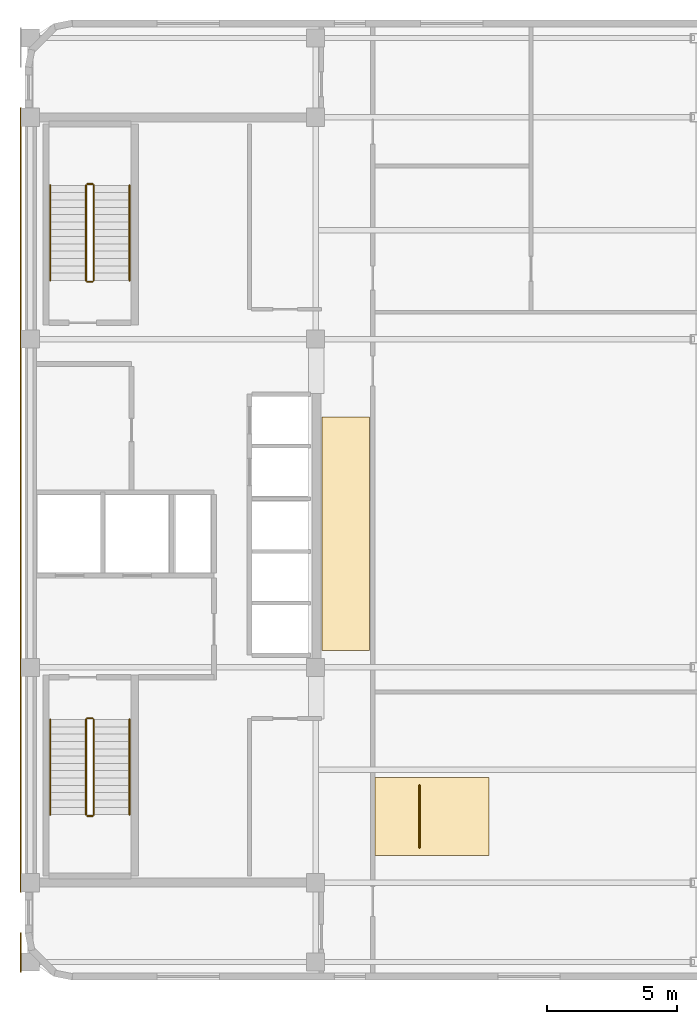
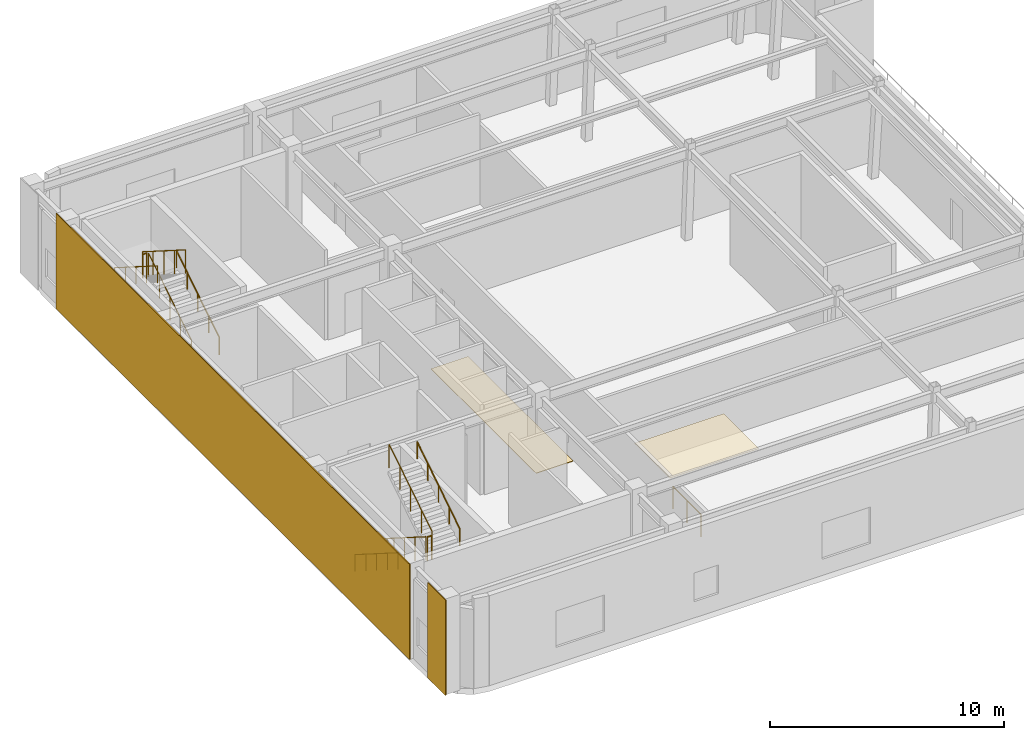
# One storey, part 5 of 6: 13 railings, 4 coverings.
"""IFC4 building model written with IfcOpenShell, lengths in metres."""

from ifc_helpers import new_model, si_unit, direction, frame, origin, origin_2d, place, context, subcontext, project, spatial, polyline, rectangle, circle, outline, extrude, material, layer, layer_set, type_object, element, save


model = new_model("IFC4")

# Units and contexts
model_context = context("Model", 3, precision=1e-05, world=origin(), true_north=direction((0.0, 1.0)))
body_context = subcontext(model_context, "Body", "Model", "MODEL_VIEW")
ifc_project = project(units=[si_unit("LENGTHUNIT", "METRE"), si_unit("AREAUNIT", "SQUARE_METRE"), si_unit("VOLUMEUNIT", "CUBIC_METRE"), si_unit("PLANEANGLEUNIT", "RADIAN"), si_unit("MASSUNIT", "GRAM", prefix="KILO")], contexts=[model_context])

# Site, building, storey
site_placement = place(None, origin())
site = spatial("IfcSite", under=ifc_project, at=site_placement, CompositionType="ELEMENT")
building_placement = place(site_placement, origin())
building = spatial("IfcBuilding", under=site, at=building_placement, Name="Ochreholt Gables", CompositionType="ELEMENT")
storey_placement = place(building_placement, frame((0.0, 0.0, 282.0)))
storey = spatial("IfcBuildingStorey", under=building, at=storey_placement, Name="L74", CompositionType="ELEMENT", Elevation=282.0)

# Coverings
ifc_material_1 = material(Name="Mineral Fibre Acoustic Ceiling Tile", Category="gypsum")
ifc_layer_1 = layer(ifc_material_1, 0.034912109375, Name="Mineral Fibre Acoustic Ceiling Tile")
ifc_layer_set_1 = layer_set([ifc_layer_1], Name="Mineral Fibre Acoustic Ceiling Tile")
covering_type_1 = type_object("IfcCoveringType", Name="COV-CEIL-AC", PredefinedType="CEILING", material=ifc_layer_set_1)
covering_1_placement = place(storey_placement, frame((0.0, 0.0, 3.820068359375)))
element("IfcCovering", 1, at=covering_1_placement, inside=storey, type_object=covering_type_1, Name="L74 Suspended Acoustic Ceiling", PredefinedType="CEILING", context=body_context, shape_type="SweptSolid", body=[
    extrude(outline(polyline([(37.489990234375, 10.300048828125), (41.889892578125, 10.300048828125), (41.889892578125, 13.300048828125), (37.489990234375, 13.300048828125), (37.489990234375, 10.300048828125)])), origin(), (0.0, 0.0, 1.0), 0.034912109375),
])
ifc_material_2 = material(Name="Glazed Ochre Terracotta Rainscreen Cladding", Category="masonry")
ifc_layer_2 = layer(ifc_material_2, 0.044921875, Name="Glazed Ochre Terracotta Rainscreen Cladding")
ifc_layer_set_2 = layer_set([ifc_layer_2], Name="Glazed Ochre Terracotta Rainscreen Cladding")
covering_type_2 = type_object("IfcCoveringType", Name="COV-CLAD-TC", PredefinedType="CLADDING", material=ifc_layer_set_2)
covering_2_placement = place(storey_placement, frame((23.827880859375, 24.0, 0.010009765625), z_axis=(0.0, 0.0, 1.0), x_axis=(0.0, 1.0, 0.0)))
element("IfcCovering", 2, at=covering_2_placement, inside=storey, type_object=covering_type_2, Name="L74 West Core Terracotta Rainscreen Cladding", PredefinedType="CLADDING", context=body_context, shape_type="SweptSolid", body=[
    extrude(rectangle(XDim=30.239990234375, YDim=0.044921875, at=origin_2d()), origin(), (0.0, 0.0, 1.0), 4.97998046875),
])
covering_3_placement = place(storey_placement, frame((23.827880859375, 6.56005859375, 0.010009765625), z_axis=(0.0, 0.0, 1.0), x_axis=(0.0, 1.0, 0.0)))
element("IfcCovering", 3, at=covering_3_placement, inside=storey, type_object=covering_type_2, Name="L74 South-West Pier Terracotta Cladding", PredefinedType="CLADDING", context=body_context, shape_type="SweptSolid", body=[
    extrude(rectangle(XDim=1.52001953125, YDim=0.044921875, at=origin_2d()), origin(), (0.0, 0.0, 1.0), 4.97998046875),
])
ifc_material_3 = material(Name="Polished Terrazzo Floor Finish", Category="concrete")
ifc_layer_3 = layer(ifc_material_3, 0.02490234375, Name="Polished Terrazzo Floor Finish")
ifc_layer_set_3 = layer_set([ifc_layer_3], Name="Polished Terrazzo Floor Finish")
covering_type_3 = type_object("IfcCoveringType", Name="COV-FLR-TRZ", PredefinedType="FLOORING", material=ifc_layer_set_3)
covering_4_placement = place(storey_placement, origin())
element("IfcCovering", 4, at=covering_4_placement, inside=storey, type_object=covering_type_3, Name="L74 Floor Finish", PredefinedType="FLOORING", context=body_context, shape_type="SweptSolid", body=[
    extrude(outline(polyline([(35.449951171875, 18.199951171875), (37.280029296875, 18.199951171875), (37.280029296875, 27.199951171875), (35.449951171875, 27.199951171875), (35.449951171875, 18.199951171875)])), origin(), (0.0, 0.0, 1.0), 0.02490234375),
])

# Railings
ifc_material_4 = material(Name="Laminated Glass and Bronze Interior Balustrade", Category="glass")
railing_type_1 = type_object("IfcRailingType", Name="RL-INT-BAL", PredefinedType="BALUSTRADE", material=ifc_material_4)
railing_1_placement = place(storey_placement, frame((39.199951171875, 10.60009765625, 0.0)))
element("IfcRailing", 5, at=railing_1_placement, inside=storey, type_object=railing_type_1, Name="L74 Gallery Balustrade", PredefinedType="BALUSTRADE", context=body_context, shape_type="SweptSolid", body=[
    extrude(circle(Radius=0.02392578125, at=origin_2d()), frame((0.0, 0.0, 1.17578125), z_axis=(0.0, 1.0, 0.0), x_axis=(-1.0, 0.0, 0.0)), (0.0, 0.0, 1.0), 2.39990234375),
    extrude(circle(Radius=0.02099609375, at=origin_2d()), origin(), (0.0, 0.0, 1.0), 1.15185546875),
    extrude(circle(Radius=0.02099609375, at=origin_2d()), frame((0.0, 1.199951171875, 0.0)), (0.0, 0.0, 1.0), 1.15185546875),
    extrude(circle(Radius=0.02099609375, at=origin_2d()), frame((0.0, 2.39990234375, 0.0)), (0.0, 0.0, 1.0), 1.15185546875),
])
ifc_material_5 = material(Name="Painted Steel Stair Guardrail", Category="steel")
railing_type_2 = type_object("IfcRailingType", Name="RL-ST-GUARD", PredefinedType="GUARDRAIL", material=ifc_material_5)
railing_2_placement = place(storey_placement, frame((26.35009765625, 15.5400390625, 0.178466796875)))
element("IfcRailing", 6, at=railing_2_placement, inside=storey, type_object=railing_type_2, Name="L74 ST-1 stair guard 1", PredefinedType="GUARDRAIL", context=body_context, shape_type="SweptSolid", body=[
    extrude(circle(Radius=0.02392578125, at=origin_2d()), frame((0.0, 0.0, 1.22607421875), z_axis=(0.0, -0.844847897496, 0.535006570144), x_axis=(1.0, 0.0, 0.0)), (0.0, 0.0, 1.0), 4.33935546875),
    extrude(circle(Radius=0.02099609375, at=origin_2d()), origin(), (0.0, 0.0, 1.0), 1.201904296875),
    extrude(circle(Radius=0.02099609375, at=origin_2d()), frame((0.0, -0.91650390625, 0.580322265625)), (0.0, 0.0, 1.0), 1.201904296875),
    extrude(circle(Radius=0.02099609375, at=origin_2d()), frame((0.0, -1.8330078125, 1.16064453125)), (0.0, 0.0, 1.0), 1.201904296875),
    extrude(circle(Radius=0.02099609375, at=origin_2d()), frame((0.0, -2.74951171875, 1.7412109375)), (0.0, 0.0, 1.0), 1.201904296875),
    extrude(circle(Radius=0.02099609375, at=origin_2d()), frame((0.0, -3.666015625, 2.321533203125)), (0.0, 0.0, 1.0), 1.201904296875),
])
railing_3_placement = place(storey_placement, frame((26.39990234375, 11.823974609375, 2.5)))
element("IfcRailing", 7, at=railing_3_placement, inside=storey, type_object=railing_type_2, Name="L74 ST-1 stair guard 2", PredefinedType="GUARDRAIL", context=body_context, shape_type="SweptSolid", body=[
    extrude(circle(Radius=0.02392578125, at=origin_2d()), frame((0.0, 0.0, 1.22607421875), z_axis=(1.0, 0.0, 0.0), x_axis=(0.0, 1.0, 0.0)), (0.0, 0.0, 1.0), 0.2001953125),
    extrude(circle(Radius=0.02099609375, at=origin_2d()), origin(), (0.0, 0.0, 1.0), 1.201904296875),
    extrude(circle(Radius=0.02099609375, at=origin_2d()), frame((0.2001953125, 0.0, 0.0)), (0.0, 0.0, 1.0), 1.201904296875),
])
railing_4_placement = place(storey_placement, frame((26.64990234375, 11.8740234375, 2.678466796875)))
element("IfcRailing", 8, at=railing_4_placement, inside=storey, type_object=railing_type_2, Name="L74 ST-1 stair guard 3", PredefinedType="GUARDRAIL", context=body_context, shape_type="SweptSolid", body=[
    extrude(circle(Radius=0.02392578125, at=origin_2d()), frame((0.0, 0.0, 1.22607421875), z_axis=(0.0, 0.844847897496, 0.535006570144), x_axis=(-1.0, 0.0, 0.0)), (0.0, 0.0, 1.0), 4.33935546875),
    extrude(circle(Radius=0.02099609375, at=origin_2d()), origin(), (0.0, 0.0, 1.0), 1.201904296875),
    extrude(circle(Radius=0.02099609375, at=origin_2d()), frame((0.0, 0.91650390625, 0.580322265625)), (0.0, 0.0, 1.0), 1.201904296875),
    extrude(circle(Radius=0.02099609375, at=origin_2d()), frame((0.0, 1.8330078125, 1.16064453125)), (0.0, 0.0, 1.0), 1.201904296875),
    extrude(circle(Radius=0.02099609375, at=origin_2d()), frame((0.0, 2.74951171875, 1.7412109375)), (0.0, 0.0, 1.0), 1.201904296875),
    extrude(circle(Radius=0.02099609375, at=origin_2d()), frame((0.0, 3.666015625, 2.321533203125)), (0.0, 0.0, 1.0), 1.201904296875),
])
railing_5_placement = place(storey_placement, frame((26.39990234375, 15.590087890625, 0.0)))
element("IfcRailing", 9, at=railing_5_placement, inside=storey, type_object=railing_type_2, Name="L74 ST-1 stair guard 4", PredefinedType="GUARDRAIL", context=body_context, shape_type="SweptSolid", body=[
    extrude(circle(Radius=0.02392578125, at=origin_2d()), frame((0.0, 0.0, 1.22607421875), z_axis=(1.0, 0.0, 0.0), x_axis=(0.0, 1.0, 0.0)), (0.0, 0.0, 1.0), 0.2001953125),
    extrude(circle(Radius=0.02099609375, at=origin_2d()), origin(), (0.0, 0.0, 1.0), 1.201904296875),
    extrude(circle(Radius=0.02099609375, at=origin_2d()), frame((0.2001953125, 0.0, 0.0)), (0.0, 0.0, 1.0), 1.201904296875),
])
railing_6_placement = place(storey_placement, frame((26.64990234375, 32.4599609375, 0.178466796875)))
element("IfcRailing", 10, at=railing_6_placement, inside=storey, type_object=railing_type_2, Name="L74 ST-2 stair guard 1", PredefinedType="GUARDRAIL", context=body_context, shape_type="SweptSolid", body=[
    extrude(circle(Radius=0.02392578125, at=origin_2d()), frame((0.0, 0.0, 1.22607421875), z_axis=(0.0, 0.844847897496, 0.535006570144), x_axis=(-1.0, 0.0, 0.0)), (0.0, 0.0, 1.0), 4.33935546875),
    extrude(circle(Radius=0.02099609375, at=origin_2d()), origin(), (0.0, 0.0, 1.0), 1.201904296875),
    extrude(circle(Radius=0.02099609375, at=origin_2d()), frame((0.0, 0.91650390625, 0.580322265625)), (0.0, 0.0, 1.0), 1.201904296875),
    extrude(circle(Radius=0.02099609375, at=origin_2d()), frame((0.0, 1.8330078125, 1.16064453125)), (0.0, 0.0, 1.0), 1.201904296875),
    extrude(circle(Radius=0.02099609375, at=origin_2d()), frame((0.0, 2.74951171875, 1.7412109375)), (0.0, 0.0, 1.0), 1.201904296875),
    extrude(circle(Radius=0.02099609375, at=origin_2d()), frame((0.0, 3.666015625, 2.321533203125)), (0.0, 0.0, 1.0), 1.201904296875),
])
railing_7_placement = place(storey_placement, frame((26.60009765625, 36.176025390625, 2.5)))
element("IfcRailing", 11, at=railing_7_placement, inside=storey, type_object=railing_type_2, Name="L74 ST-2 stair guard 2", PredefinedType="GUARDRAIL", context=body_context, shape_type="SweptSolid", body=[
    extrude(circle(Radius=0.02392578125, at=origin_2d()), frame((0.0, 0.0, 1.22607421875), z_axis=(-1.0, 0.0, 0.0), x_axis=(0.0, -1.0, 0.0)), (0.0, 0.0, 1.0), 0.2001953125),
    extrude(circle(Radius=0.02099609375, at=origin_2d()), origin(), (0.0, 0.0, 1.0), 1.201904296875),
    extrude(circle(Radius=0.02099609375, at=origin_2d()), frame((-0.2001953125, 0.0, 0.0)), (0.0, 0.0, 1.0), 1.201904296875),
])
railing_8_placement = place(storey_placement, frame((26.35009765625, 36.1259765625, 2.678466796875)))
element("IfcRailing", 12, at=railing_8_placement, inside=storey, type_object=railing_type_2, Name="L74 ST-2 stair guard 3", PredefinedType="GUARDRAIL", context=body_context, shape_type="SweptSolid", body=[
    extrude(circle(Radius=0.02392578125, at=origin_2d()), frame((0.0, 0.0, 1.22607421875), z_axis=(0.0, -0.844847897496, 0.535006570144), x_axis=(1.0, 0.0, 0.0)), (0.0, 0.0, 1.0), 4.33935546875),
    extrude(circle(Radius=0.02099609375, at=origin_2d()), origin(), (0.0, 0.0, 1.0), 1.201904296875),
    extrude(circle(Radius=0.02099609375, at=origin_2d()), frame((0.0, -0.91650390625, 0.580322265625)), (0.0, 0.0, 1.0), 1.201904296875),
    extrude(circle(Radius=0.02099609375, at=origin_2d()), frame((0.0, -1.8330078125, 1.16064453125)), (0.0, 0.0, 1.0), 1.201904296875),
    extrude(circle(Radius=0.02099609375, at=origin_2d()), frame((0.0, -2.74951171875, 1.7412109375)), (0.0, 0.0, 1.0), 1.201904296875),
    extrude(circle(Radius=0.02099609375, at=origin_2d()), frame((0.0, -3.666015625, 2.321533203125)), (0.0, 0.0, 1.0), 1.201904296875),
])
railing_9_placement = place(storey_placement, frame((26.60009765625, 32.409912109375, 0.0)))
element("IfcRailing", 13, at=railing_9_placement, inside=storey, type_object=railing_type_2, Name="L74 ST-2 stair guard 4", PredefinedType="GUARDRAIL", context=body_context, shape_type="SweptSolid", body=[
    extrude(circle(Radius=0.02392578125, at=origin_2d()), frame((0.0, 0.0, 1.22607421875), z_axis=(-1.0, 0.0, 0.0), x_axis=(0.0, -1.0, 0.0)), (0.0, 0.0, 1.0), 0.2001953125),
    extrude(circle(Radius=0.02099609375, at=origin_2d()), origin(), (0.0, 0.0, 1.0), 1.201904296875),
    extrude(circle(Radius=0.02099609375, at=origin_2d()), frame((-0.2001953125, 0.0, 0.0)), (0.0, 0.0, 1.0), 1.201904296875),
])
ifc_material_6 = material(Name="Brushed Stainless Steel Wall Handrail", Category="steel")
railing_type_3 = type_object("IfcRailingType", Name="RL-ST-HAND", PredefinedType="HANDRAIL", material=ifc_material_6)
railing_10_placement = place(storey_placement, frame((24.969970703125, 15.5400390625, 0.178466796875)))
element("IfcRailing", 14, at=railing_10_placement, inside=storey, type_object=railing_type_3, Name="L74 ST-1 stair handrail 1", PredefinedType="HANDRAIL", context=body_context, shape_type="SweptSolid", body=[
    extrude(circle(Radius=0.02392578125, at=origin_2d()), frame((0.0, 0.0, 0.8759765625), z_axis=(0.0, -0.844847897496, 0.535006570144), x_axis=(1.0, 0.0, 0.0)), (0.0, 0.0, 1.0), 4.33935546875),
    extrude(circle(Radius=0.02099609375, at=origin_2d()), origin(), (0.0, 0.0, 1.0), 0.851806640625),
    extrude(circle(Radius=0.02099609375, at=origin_2d()), frame((0.0, -0.91650390625, 0.580322265625)), (0.0, 0.0, 1.0), 0.851806640625),
    extrude(circle(Radius=0.02099609375, at=origin_2d()), frame((0.0, -1.8330078125, 1.16064453125)), (0.0, 0.0, 1.0), 0.851806640625),
    extrude(circle(Radius=0.02099609375, at=origin_2d()), frame((0.0, -2.74951171875, 1.7412109375)), (0.0, 0.0, 1.0), 0.851806640625),
    extrude(circle(Radius=0.02099609375, at=origin_2d()), frame((0.0, -3.666015625, 2.321533203125)), (0.0, 0.0, 1.0), 0.851806640625),
])
for number, where, name in (
    (15, (28.030029296875, 11.8740234375, 2.678466796875), "L74 ST-1 stair handrail 2"),
    (16, (28.030029296875, 32.4599609375, 0.178466796875), "L74 ST-2 stair handrail 1"),
):
    element("IfcRailing", number, at=place(storey_placement, frame(where)), inside=storey, type_object=railing_type_3, Name=name, PredefinedType="HANDRAIL", context=body_context, shape_type="SweptSolid", body=[
        extrude(circle(Radius=0.02392578125, at=origin_2d()), frame((0.0, 0.0, 0.8759765625), z_axis=(0.0, 0.844847897496, 0.535006570144), x_axis=(-1.0, 0.0, 0.0)), (0.0, 0.0, 1.0), 4.33935546875),
        extrude(circle(Radius=0.02099609375, at=origin_2d()), origin(), (0.0, 0.0, 1.0), 0.851806640625),
        extrude(circle(Radius=0.02099609375, at=origin_2d()), frame((0.0, 0.91650390625, 0.580322265625)), (0.0, 0.0, 1.0), 0.851806640625),
        extrude(circle(Radius=0.02099609375, at=origin_2d()), frame((0.0, 1.8330078125, 1.16064453125)), (0.0, 0.0, 1.0), 0.851806640625),
        extrude(circle(Radius=0.02099609375, at=origin_2d()), frame((0.0, 2.74951171875, 1.7412109375)), (0.0, 0.0, 1.0), 0.851806640625),
        extrude(circle(Radius=0.02099609375, at=origin_2d()), frame((0.0, 3.666015625, 2.321533203125)), (0.0, 0.0, 1.0), 0.851806640625),
    ])
railing_11_placement = place(storey_placement, frame((24.969970703125, 36.1259765625, 2.678466796875)))
element("IfcRailing", 17, at=railing_11_placement, inside=storey, type_object=railing_type_3, Name="L74 ST-2 stair handrail 2", PredefinedType="HANDRAIL", context=body_context, shape_type="SweptSolid", body=[
    extrude(circle(Radius=0.02392578125, at=origin_2d()), frame((0.0, 0.0, 0.8759765625), z_axis=(0.0, -0.844847897496, 0.535006570144), x_axis=(1.0, 0.0, 0.0)), (0.0, 0.0, 1.0), 4.33935546875),
    extrude(circle(Radius=0.02099609375, at=origin_2d()), origin(), (0.0, 0.0, 1.0), 0.851806640625),
    extrude(circle(Radius=0.02099609375, at=origin_2d()), frame((0.0, -0.91650390625, 0.580322265625)), (0.0, 0.0, 1.0), 0.851806640625),
    extrude(circle(Radius=0.02099609375, at=origin_2d()), frame((0.0, -1.8330078125, 1.16064453125)), (0.0, 0.0, 1.0), 0.851806640625),
    extrude(circle(Radius=0.02099609375, at=origin_2d()), frame((0.0, -2.74951171875, 1.7412109375)), (0.0, 0.0, 1.0), 0.851806640625),
    extrude(circle(Radius=0.02099609375, at=origin_2d()), frame((0.0, -3.666015625, 2.321533203125)), (0.0, 0.0, 1.0), 0.851806640625),
])

save(model, "model.ifc")
